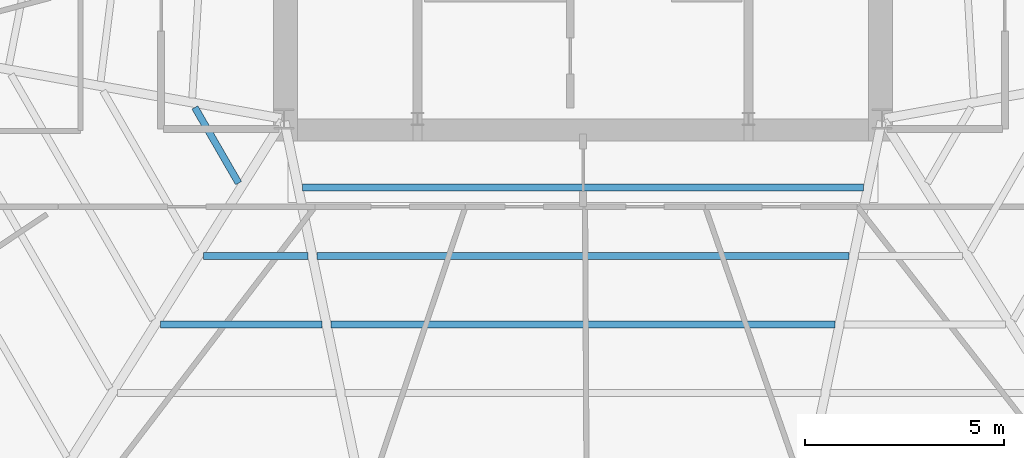
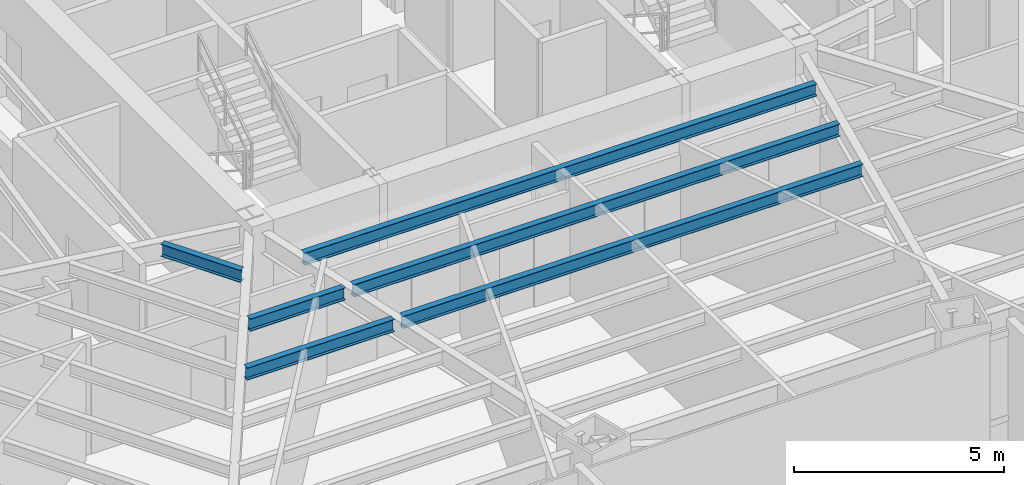
# One storey, part 9 of 35: 6 beams.
"""IFC4 building model written with IfcOpenShell, lengths in metres."""

from ifc_helpers import new_model, si_unit, direction, frame, origin, origin_2d, place, context, subcontext, project, spatial, i_section, extrude, source, transform, mapped, material, material_profile, profile_set, type_object, type_shapes, element, save


model = new_model("IFC4")

# Units and contexts
model_context = context("Model", 3, precision=1e-05, world=origin(), true_north=direction((0.0, 1.0)))
body_context = subcontext(model_context, "Body", "Model", "MODEL_VIEW")
ifc_project = project(units=[si_unit("LENGTHUNIT", "METRE"), si_unit("AREAUNIT", "SQUARE_METRE"), si_unit("VOLUMEUNIT", "CUBIC_METRE"), si_unit("PLANEANGLEUNIT", "RADIAN"), si_unit("MASSUNIT", "GRAM", prefix="KILO")], contexts=[model_context])

# Site, building, storey
site_placement = place(None, origin())
site = spatial("IfcSite", under=ifc_project, at=site_placement, CompositionType="ELEMENT")
building_placement = place(site_placement, origin())
building = spatial("IfcBuilding", under=site, at=building_placement, Name="Caelisora Broadcast Tower", CompositionType="ELEMENT")
storey_placement = place(building_placement, frame((0.0, 0.0, 53.14990234375)))
storey = spatial("IfcBuildingStorey", under=building, at=storey_placement, Name="L13", CompositionType="ELEMENT", Elevation=53.14990234375)

# Beams
ifc_material = material(Name="Steel Grade 350 (AS/NZS 3679.1)", Category="steel")
ifc_material_profile = material_profile(ifc_material, i_section(OverallWidth=0.172119140625, OverallDepth=0.358642578125, WebThickness=0.008056640625, FlangeThickness=0.012939453125, at=origin_2d()), Name="Steel Grade 350 (AS/NZS 3679.1)")
ifc_profile_set = profile_set([ifc_material_profile], Name="Steel Grade 350 (AS/NZS 3679.1)")
beam_type = type_object("IfcBeamType", Name="SB02", PredefinedType="JOIST", material=ifc_profile_set)
shared_shape_1 = source(origin(), body_context, "Body", "SweptSolid", [
    extrude(i_section(OverallWidth=0.172119140625, OverallDepth=0.358642578125, WebThickness=0.008056640625, FlangeThickness=0.012939453125, at=origin_2d()), origin(), (0.0, 0.0, 1.0), 2.18896484375),
])
beam_1_placement = place(storey_placement, frame((28.267333984375, 17.6875, 3.220703125), z_axis=(0.499989557376, -0.866031432752, 0.0), x_axis=(0.866031432752, 0.499989557376, 0.0)))
element("IfcBeam", 1, at=beam_1_placement, inside=storey, type_object=beam_type, Name="L13 beam SB02", PredefinedType="JOIST", context=body_context, shape_type="MappedRepresentation", body=[
    mapped(shared_shape_1, transform((0.0, 0.0, 0.0), scale=1.0)),
])
shared_shape_2 = source(origin(), body_context, "Body", "SweptSolid", [
    extrude(i_section(OverallWidth=0.172119140625, OverallDepth=0.358642578125, WebThickness=0.008056640625, FlangeThickness=0.012939453125, at=origin_2d()), origin(), (0.0, 0.0, 1.0), 2.6171875),
])
beam_2_placement = place(storey_placement, frame((28.481201171875, 13.96533203125, 3.220703125), z_axis=(1.0, 0.0, 0.0), x_axis=(0.0, 1.0, 0.0)))
element("IfcBeam", 2, at=beam_2_placement, inside=storey, type_object=beam_type, Name="L13 beam SB02", PredefinedType="JOIST", context=body_context, shape_type="MappedRepresentation", body=[
    mapped(shared_shape_2, transform((0.0, 0.0, 0.0), scale=1.0)),
])
shared_shape_3 = source(origin(), body_context, "Body", "SweptSolid", [
    extrude(i_section(OverallWidth=0.172119140625, OverallDepth=0.358642578125, WebThickness=0.008056640625, FlangeThickness=0.012939453125, at=origin_2d()), origin(), (0.0, 0.0, 1.0), 4.048095703125),
])
beam_3_placement = place(storey_placement, frame((27.40625, 12.247802734375, 3.220703125), z_axis=(1.0, 0.0, 0.0), x_axis=(0.0, 1.0, 0.0)))
element("IfcBeam", 3, at=beam_3_placement, inside=storey, type_object=beam_type, Name="L13 beam SB02", PredefinedType="JOIST", context=body_context, shape_type="MappedRepresentation", body=[
    mapped(shared_shape_3, transform((0.0, 0.0, 0.0), scale=1.0)),
])
shared_shape_4 = source(origin(), body_context, "Body", "SweptSolid", [
    extrude(i_section(OverallWidth=0.172119140625, OverallDepth=0.358642578125, WebThickness=0.008056640625, FlangeThickness=0.012939453125, at=origin_2d()), origin(), (0.0, 0.0, 1.0), 14.0615234375),
])
beam_4_placement = place(storey_placement, frame((30.96923828125, 15.6826171875, 3.220703125), z_axis=(1.0, 0.0, 0.0), x_axis=(0.0, 1.0, 0.0)))
element("IfcBeam", 4, at=beam_4_placement, inside=storey, type_object=beam_type, Name="L13 beam SB02", PredefinedType="JOIST", context=body_context, shape_type="MappedRepresentation", body=[
    mapped(shared_shape_4, transform((0.0, 0.0, 0.0), scale=1.0)),
])
shared_shape_5 = source(origin(), body_context, "Body", "SweptSolid", [
    extrude(i_section(OverallWidth=0.172119140625, OverallDepth=0.358642578125, WebThickness=0.008056640625, FlangeThickness=0.012939453125, at=origin_2d()), origin(), (0.0, 0.0, 1.0), 13.349609375),
])
beam_5_placement = place(storey_placement, frame((31.3251953125, 13.96533203125, 3.220703125), z_axis=(1.0, 0.0, 0.0), x_axis=(0.0, 1.0, 0.0)))
element("IfcBeam", 5, at=beam_5_placement, inside=storey, type_object=beam_type, Name="L13 beam SB02", PredefinedType="JOIST", context=body_context, shape_type="MappedRepresentation", body=[
    mapped(shared_shape_5, transform((0.0, 0.0, 0.0), scale=1.0)),
])
shared_shape_6 = source(origin(), body_context, "Body", "SweptSolid", [
    extrude(i_section(OverallWidth=0.172119140625, OverallDepth=0.358642578125, WebThickness=0.008056640625, FlangeThickness=0.012939453125, at=origin_2d()), origin(), (0.0, 0.0, 1.0), 12.6376953125),
])
type_shapes(beam_type, [shared_shape_1, shared_shape_2, shared_shape_3, shared_shape_4, shared_shape_5, shared_shape_6])
beam_6_placement = place(storey_placement, frame((31.68115234375, 12.247802734375, 3.220703125), z_axis=(1.0, 0.0, 0.0), x_axis=(0.0, 1.0, 0.0)))
element("IfcBeam", 6, at=beam_6_placement, inside=storey, type_object=beam_type, Name="L13 beam SB02", PredefinedType="JOIST", context=body_context, shape_type="MappedRepresentation", body=[
    mapped(shared_shape_6, transform((0.0, 0.0, 0.0), scale=1.0)),
])

save(model, "model.ifc")
